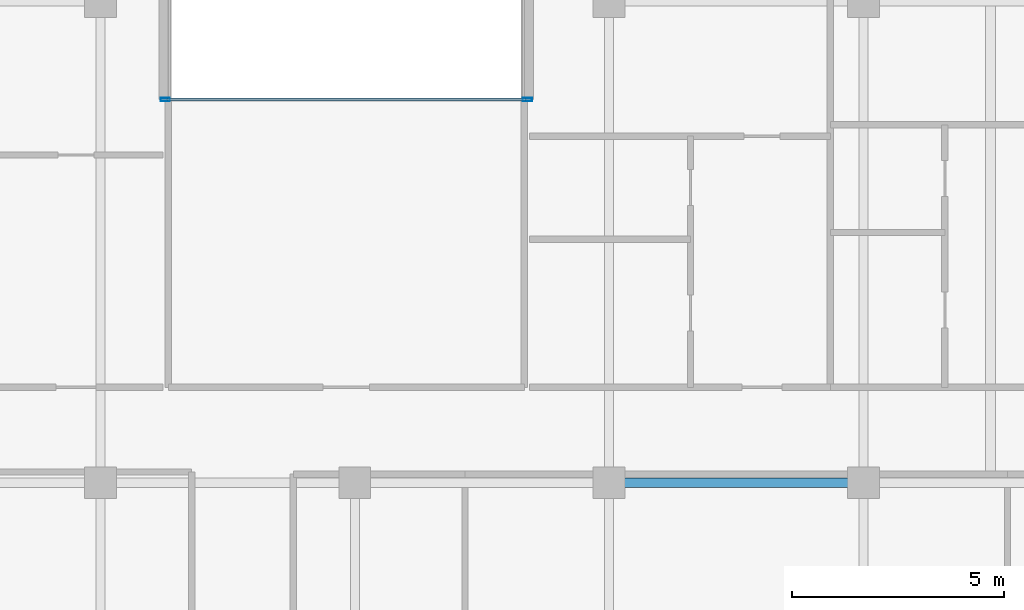
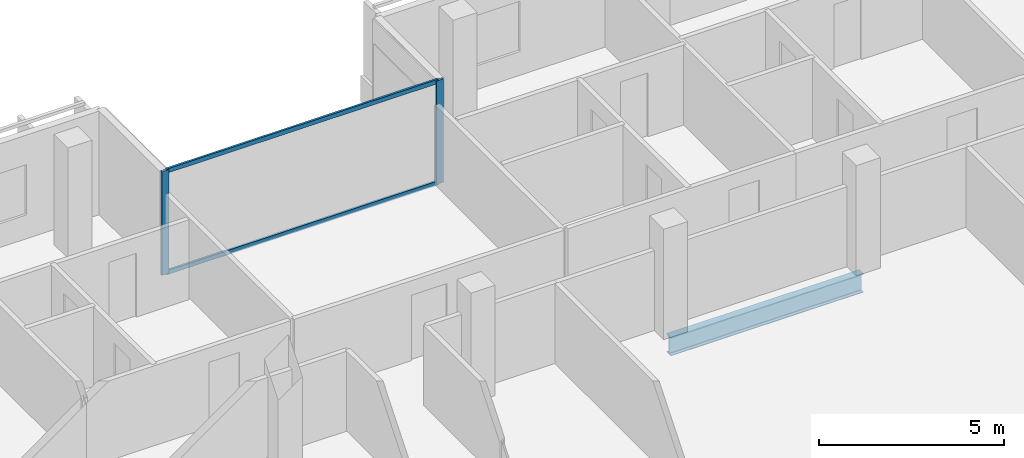
# One storey, part 4 of 17: 4 members, 1 beam, 1 element without a shape of its own.
"""IFC4 building model written with IfcOpenShell, lengths in metres."""

import ifcopenshell
import ifcopenshell.guid

model = None  # the IFC model being written
_history = None  # IfcOwnerHistory: only IFC2X3 demands one
_inside = {}  # id of a spatial element -> (the spatial element, [elements in it])
_under = {}  # id of a project, library or spatial element -> (it, [spatial elements below it])
_declared = {}  # id of a project -> (the project, [libraries it declares])
_typed = {}  # id of a type object -> (the type object, [elements of that type])
_made_of = {}  # id of a material, layer set ... -> (it, [elements and type objects made of it])


def new_model(schema):
    """Start an empty IFC model of exactly this schema.

    Asked for "IFC4X3", IfcOpenShell would pick the latest addendum, in which some entities
    have other attributes; the version numbers below select the first issue.
    IFC2X3 requires an IfcOwnerHistory on every rooted entity: one is made here for all.
    """
    global model, _history
    if schema == "IFC4X3":
        model = ifcopenshell.file(schema_version=(4, 3, 0, 0))
    else:
        model = ifcopenshell.file(schema=schema)
    _inside.clear()
    _under.clear()
    _declared.clear()
    _typed.clear()
    _made_of.clear()
    _history = None
    if model.schema == "IFC2X3":
        org = make("IfcOrganization", Name="unknown")
        user = make(
            "IfcPersonAndOrganization",
            ThePerson=make("IfcPerson", FamilyName="unknown"),
            TheOrganization=org,
        )
        app = make(
            "IfcApplication",
            ApplicationDeveloper=org,
            Version="unknown",
            ApplicationFullName="unknown",
            ApplicationIdentifier="unknown",
        )
        _history = make(
            "IfcOwnerHistory",
            OwningUser=user,
            OwningApplication=app,
            ChangeAction="ADDED",
            CreationDate=0,
        )
    return model


def make(cls, **values):
    """One entity of the class cls with the attributes given. An attribute that is None is left unset."""
    return model.create_entity(
        cls, **{name: value for name, value in values.items() if value is not None}
    )


def rooted(cls, **values):
    """An entity with a GlobalId (a new one), such as an element, a storey or a relation."""
    return make(cls, GlobalId=ifcopenshell.guid.new(), OwnerHistory=_history, **values)


def si_unit(unit_type, name, prefix=None):
    """IfcSIUnit, for example si_unit("LENGTHUNIT", "METRE", prefix="MILLI")."""
    return make("IfcSIUnit", UnitType=unit_type, Prefix=prefix, Name=name)


def assignment(units):
    """IfcUnitAssignment: the units of a project."""
    return None if units is None else make("IfcUnitAssignment", Units=units)


def point(xyz):
    """IfcCartesianPoint."""
    return None if xyz is None else make("IfcCartesianPoint", Coordinates=xyz)


def direction(xyz):
    """IfcDirection."""
    return None if xyz is None else make("IfcDirection", DirectionRatios=xyz)


def frame(location, z_axis=None, x_axis=None):
    """IfcAxis2Placement3D, a coordinate frame: its origin and axes. An axis left out is left unset."""
    return make(
        "IfcAxis2Placement3D",
        Location=point(location),
        Axis=direction(z_axis),
        RefDirection=direction(x_axis),
    )


def frame_2d(location, x_axis=None):
    """IfcAxis2Placement2D, a coordinate frame in the plane: its origin and x axis."""
    return make(
        "IfcAxis2Placement2D", Location=point(location), RefDirection=direction(x_axis)
    )


def origin():
    """The frame at (0, 0, 0) with its axes left unset."""
    return frame((0.0, 0.0, 0.0))


def origin_2d():
    """The frame at (0, 0) in the plane with its x axis left unset."""
    return frame_2d((0.0, 0.0))


def place(relative_to, where):
    """IfcLocalPlacement: puts the frame where relative to a parent placement (None: the world)."""
    return make(
        "IfcLocalPlacement", PlacementRelTo=relative_to, RelativePlacement=where
    )


def context(
    kind, dimensions, precision=None, world=None, true_north=None, identifier=None
):
    """IfcGeometricRepresentationContext, for example the 3D "Model" context."""
    return make(
        "IfcGeometricRepresentationContext",
        ContextIdentifier=identifier,
        ContextType=kind,
        CoordinateSpaceDimension=dimensions,
        Precision=precision,
        WorldCoordinateSystem=world,
        TrueNorth=true_north,
    )


def subcontext(parent, identifier, kind, view, scale=None):
    """IfcGeometricRepresentationSubContext, for example "Body" below "Model"."""
    return make(
        "IfcGeometricRepresentationSubContext",
        ContextIdentifier=identifier,
        ContextType=kind,
        ParentContext=parent,
        TargetScale=scale,
        TargetView=view,
    )


def project(units=None, contexts=None):
    """IfcProject with its units and contexts."""
    return rooted(
        "IfcProject",
        Name="project",
        RepresentationContexts=contexts,
        UnitsInContext=assignment(units),
    )


def spatial(cls, under=None, at=None, **own):
    """A site, building, storey or space (cls), placed at a placement, below another one or the project."""
    s = rooted(cls, ObjectPlacement=at, **own)
    if under is not None:
        _under.setdefault(under.id(), (under, []))[1].append(s)
    return s


def profile(cls, at=None, kind="AREA", **sizes):
    """A parametric profile (cls). Its sizes go by their IFC names, for example OverallWidth=200.0."""
    return make(cls, ProfileType=kind, Position=at, **sizes)


def hollow_rectangle(**sizes):
    """IfcRectangleHollowProfileDef."""
    return profile("IfcRectangleHollowProfileDef", **sizes)


def i_section(**sizes):
    """IfcIShapeProfileDef."""
    return profile("IfcIShapeProfileDef", **sizes)


def extrude(swept, where, along, depth):
    """IfcExtrudedAreaSolid: the profile swept, set in the frame where, extruded along a direction by depth."""
    return make(
        "IfcExtrudedAreaSolid",
        SweptArea=swept,
        Position=where,
        ExtrudedDirection=direction(along),
        Depth=depth,
    )


def shape(context_of_items, identifier, shape_type, items):
    """IfcShapeRepresentation: the items that make up one representation, for example the "Body"."""
    return make(
        "IfcShapeRepresentation",
        ContextOfItems=context_of_items,
        RepresentationIdentifier=identifier,
        RepresentationType=shape_type,
        Items=items,
    )


def material(Name=None, Category=None):
    """IfcMaterial."""
    return make("IfcMaterial", Name=Name, Category=Category)


def layer(
    of_material, thickness, ventilated=None, Name=None, Category=None, Priority=None
):
    """IfcMaterialLayer: one layer of a wall or slab, of a material (None: an air gap)."""
    return make(
        "IfcMaterialLayer",
        Material=of_material,
        LayerThickness=thickness,
        IsVentilated=ventilated,
        Name=Name,
        Category=Category,
        Priority=Priority,
    )


def layer_set(layers, Name=None):
    """IfcMaterialLayerSet."""
    return make("IfcMaterialLayerSet", MaterialLayers=layers, LayerSetName=Name)


def material_profile(
    of_material, cross_section, Name=None, Category=None, Priority=None
):
    """IfcMaterialProfile: a cross section and its material."""
    return make(
        "IfcMaterialProfile",
        Name=Name,
        Material=of_material,
        Profile=cross_section,
        Priority=Priority,
        Category=Category,
    )


def profile_set(profiles, Name=None, composite=None):
    """IfcMaterialProfileSet."""
    return make(
        "IfcMaterialProfileSet",
        Name=Name,
        MaterialProfiles=profiles,
        CompositeProfile=composite,
    )


def made_of(thing, what):
    """Note that an element or type object is made of a material, layer set ...; save() writes the relation."""
    if what is not None:
        _made_of.setdefault(what.id(), (what, []))[1].append(thing)
    return thing


def type_object(cls, material=None, **own):
    """A type object (cls), such as IfcWallType, which elements share."""
    return made_of(rooted(cls, **own), material)


def element(
    cls,
    number,
    at=None,
    inside=None,
    cuts=None,
    type_object=None,
    material=None,
    context=None,
    identifier="Body",
    shape_type=None,
    held_by="IfcProductDefinitionShape",
    body=None,
    shapes=None,
    **own,
):
    """One element of the class cls, such as IfcWall. Its Tag is "e" and its number.

    at: its placement. inside: the storey or other place that contains it. cuts: it is an
    opening in that element (IfcRelVoidsElement). A single representation is given by context,
    identifier, shape_type and body (its items); several are given by shapes. held_by: the class
    of the entity that holds the representations. save() writes the other relations.
    """
    e = rooted(cls, Tag="e%d" % number, ObjectPlacement=at, **own)
    if body is not None:
        shapes = [shape(context, identifier, shape_type, body)]
    if shapes is not None:
        e.Representation = make(held_by, Representations=shapes)
    if inside is not None:
        _inside.setdefault(inside.id(), (inside, []))[1].append(e)
    if cuts is not None:
        rooted(
            "IfcRelVoidsElement", RelatingBuildingElement=cuts, RelatedOpeningElement=e
        )
    if type_object is not None:
        _typed.setdefault(type_object.id(), (type_object, []))[1].append(e)
    return made_of(e, material)


def aggregate(whole, parts):
    """IfcRelAggregates: a whole, such as a stair, and the parts it consists of."""
    return rooted("IfcRelAggregates", RelatingObject=whole, RelatedObjects=parts)


def save(model, path):
    """Write the relations noted so far, then the file.

    IfcRelAggregates (storeys below a building ...), IfcRelContainedInSpatialStructure (elements
    in a storey), IfcRelDefinesByType, IfcRelAssociatesMaterial and IfcRelDeclares: one each for
    every whole, place, type object, material and project.
    """
    for whole, parts in _under.values():
        aggregate(whole, parts)
    for where, things in _inside.values():
        rooted(
            "IfcRelContainedInSpatialStructure",
            RelatedElements=things,
            RelatingStructure=where,
        )
    for kind, things in _typed.values():
        rooted("IfcRelDefinesByType", RelatedObjects=things, RelatingType=kind)
    for what, things in _made_of.values():
        rooted("IfcRelAssociatesMaterial", RelatedObjects=things, RelatingMaterial=what)
    for by, libraries in _declared.values():
        rooted("IfcRelDeclares", RelatingContext=by, RelatedDefinitions=libraries)
    model.write(path)


model = new_model("IFC4")

# Units and contexts
model_context = context("Model", 3, precision=1e-05, world=origin(), true_north=direction((0.0, 1.0)))
body_context = subcontext(model_context, "Body", "Model", "MODEL_VIEW")
ifc_project = project(units=[si_unit("LENGTHUNIT", "METRE"), si_unit("AREAUNIT", "SQUARE_METRE"), si_unit("VOLUMEUNIT", "CUBIC_METRE"), si_unit("PLANEANGLEUNIT", "RADIAN"), si_unit("MASSUNIT", "GRAM", prefix="KILO")], contexts=[model_context])

# Site, building, storey
site_placement = place(None, origin())
site = spatial("IfcSite", under=ifc_project, at=site_placement, CompositionType="ELEMENT")
building_placement = place(site_placement, origin())
building = spatial("IfcBuilding", under=site, at=building_placement, Name="Tanjung Sevakor Pilgrim Tower", CompositionType="ELEMENT")
storey_placement = place(building_placement, frame((0.0, 0.0, 219.1201171875)))
storey = spatial("IfcBuildingStorey", under=building, at=storey_placement, Name="L61", CompositionType="ELEMENT", Elevation=219.1201171875)

# Beam
ifc_material_1 = material(Name="Steel S355J2", Category="steel")
ifc_material_profile_1 = material_profile(ifc_material_1, i_section(OverallWidth=0.22900390625, OverallDepth=0.6123046875, WebThickness=0.011962890625, FlangeThickness=0.01953125, FilletRadius=0.0126953125, at=origin_2d()))
ifc_profile_set_1 = profile_set([ifc_material_profile_1], Name="Steel S355J2")
beam_type = type_object("IfcBeamType", Name="BM-B-G4-UB_610x229x125", PredefinedType="BEAM", material=ifc_profile_set_1)
beam_placement = place(storey_placement, frame((54.0, 42.60009765625, -0.526123046875), z_axis=(1.0, 0.0, 0.0), x_axis=(0.0, 1.0, 0.0)))
element("IfcBeam", 1, at=beam_placement, inside=storey, type_object=beam_type, Name="L61 Primary Floor Girder MAIN Y426-05", PredefinedType="BEAM", context=body_context, shape_type="SweptSolid", body=[
    extrude(i_section(OverallWidth=0.22900390625, OverallDepth=0.6123046875, WebThickness=0.011962890625, FlangeThickness=0.01953125, FilletRadius=0.0126953125, at=origin_2d()), origin(), (0.0, 0.0, 1.0), 6.0),
])

# Curtain wall, members
ifc_material_2 = material(Name="Aluminium 6063-T6 and Low-E Glass", Category="aluminium")
ifc_layer = layer(ifc_material_2, 0.179931640625)
ifc_layer_set = layer_set([ifc_layer], Name="CW-SYS-CLEFT")
curtain_wall_type = type_object("IfcCurtainWallType", Name="CW-SYS-CLEFT", PredefinedType="NOTDEFINED", material=ifc_layer_set)
curtain_wall_placement = place(storey_placement, origin())
curtain_wall = element("IfcCurtainWall", 2, at=curtain_wall_placement, inside=storey, type_object=curtain_wall_type, Name="L61 Curtain Wall CW-CLF-L61-10", PredefinedType="NOTDEFINED")
ifc_material_3 = material(Name="Aluminium 6063-T6", Category="aluminium")
ifc_material_profile_2 = material_profile(ifc_material_3, hollow_rectangle(XDim=0.074951171875, YDim=0.219970703125, WallThickness=0.0048828125, at=origin_2d()))
ifc_profile_set_2 = profile_set([ifc_material_profile_2], Name="Aluminium 6063-T6")
member_type_1 = type_object("IfcMemberType", Name="TYPE-CWM-2", PredefinedType="MULLION", material=ifc_profile_set_2)
member_1_placement = place(storey_placement, frame((52.072509765625, 51.639892578125, 0.0), z_axis=(0.0, 0.0, 1.0), x_axis=(0.0, -1.0, 0.0)))
member_1 = element("IfcMember", 3, at=member_1_placement, type_object=member_type_1, Name="CW-CLF mullion 1", PredefinedType="MULLION", context=body_context, shape_type="SweptSolid", body=[
    extrude(hollow_rectangle(XDim=0.074951171875, YDim=0.219970703125, WallThickness=0.0048828125, at=origin_2d()), origin(), (0.0, 0.0, 1.0), 3.409912109375),
])
member_2_placement = place(storey_placement, frame((43.527587890625, 51.639892578125, 0.0), z_axis=(0.0, 0.0, 1.0), x_axis=(0.0, -1.0, 0.0)))
member_2 = element("IfcMember", 4, at=member_2_placement, type_object=member_type_1, Name="CW-CLF mullion 2", PredefinedType="MULLION", context=body_context, shape_type="SweptSolid", body=[
    extrude(hollow_rectangle(XDim=0.074951171875, YDim=0.219970703125, WallThickness=0.0048828125, at=origin_2d()), origin(), (0.0, 0.0, 1.0), 3.409912109375),
])
ifc_material_4 = material(Name="Aluminium 6063-T6", Category="aluminium")
ifc_material_profile_3 = material_profile(ifc_material_4, hollow_rectangle(XDim=0.06494140625, YDim=0.139892578125, WallThickness=0.00390625, at=origin_2d()))
ifc_profile_set_3 = profile_set([ifc_material_profile_3], Name="Aluminium 6063-T6")
member_type_2 = type_object("IfcMemberType", Name="TYPE-CWT-1", PredefinedType="USERDEFINED", material=ifc_profile_set_3)
member_3_placement = place(storey_placement, frame((52.034912109375, 51.639892578125, 0.032470703125), z_axis=(-1.0, 0.0, 0.0), x_axis=(0.0, -1.0, 0.0)))
member_3 = element("IfcMember", 5, at=member_3_placement, type_object=member_type_2, Name="CW-CLF transom 1.1", ObjectType="TRANSOM", PredefinedType="USERDEFINED", context=body_context, shape_type="SweptSolid", body=[
    extrude(hollow_rectangle(XDim=0.06494140625, YDim=0.139892578125, WallThickness=0.00390625, at=origin_2d()), origin(), (0.0, 0.0, 1.0), 8.469970703125),
])
member_4_placement = place(storey_placement, frame((52.034912109375, 51.639892578125, 3.37744140625), z_axis=(-1.0, 0.0, 0.0), x_axis=(0.0, -1.0, 0.0)))
member_4 = element("IfcMember", 6, at=member_4_placement, type_object=member_type_2, Name="CW-CLF transom 1.2", ObjectType="TRANSOM", PredefinedType="USERDEFINED", context=body_context, shape_type="SweptSolid", body=[
    extrude(hollow_rectangle(XDim=0.06494140625, YDim=0.139892578125, WallThickness=0.00390625, at=origin_2d()), origin(), (0.0, 0.0, 1.0), 8.469970703125),
])
aggregate(curtain_wall, [member_1, member_2, member_3, member_4])

save(model, "model.ifc")
